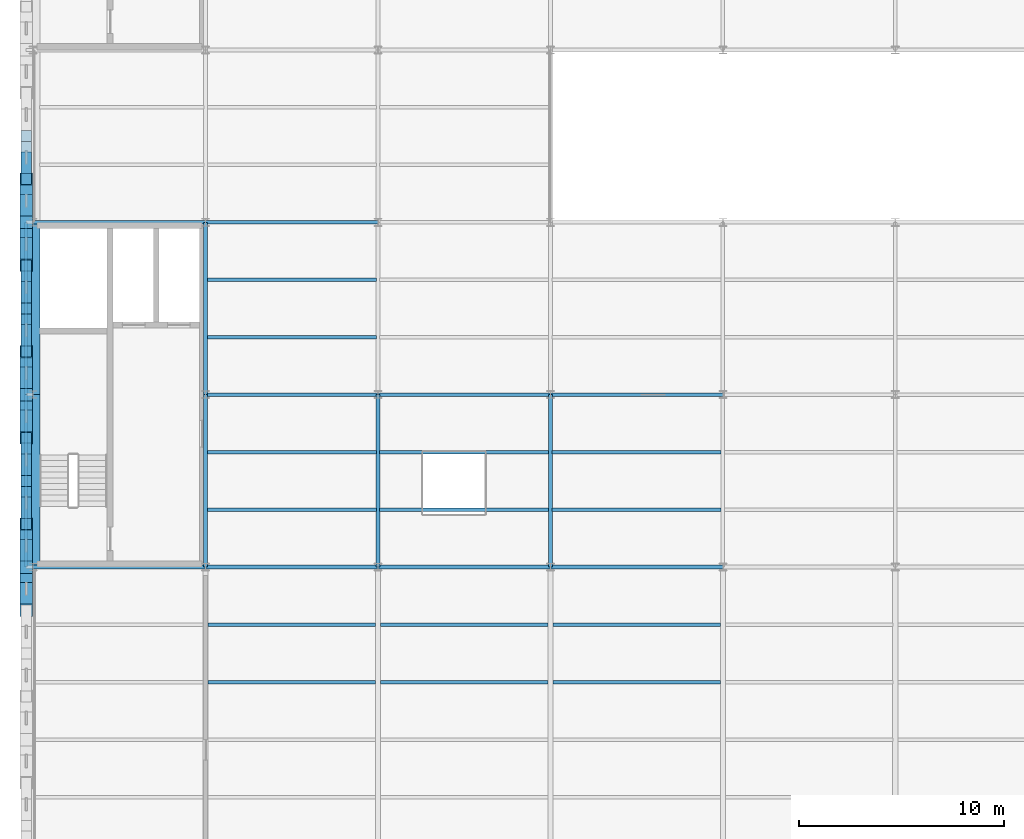
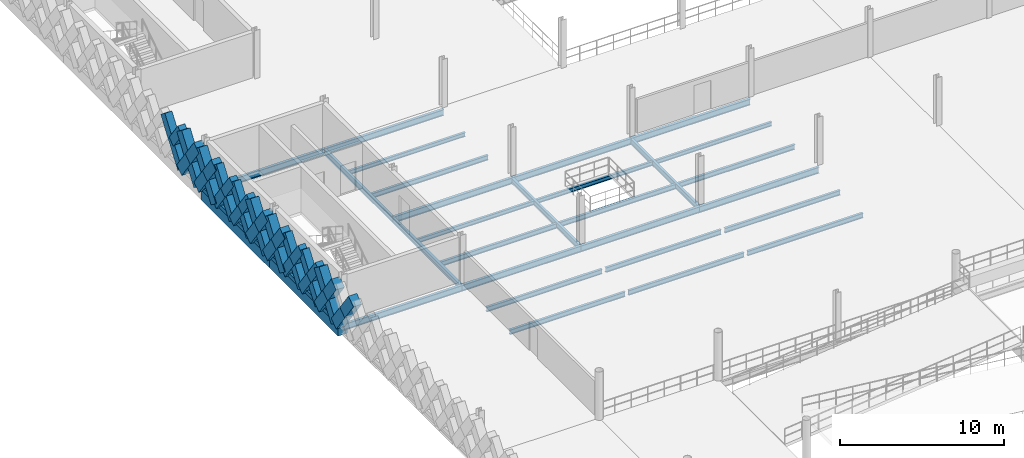
# One storey, part 20 of 74: 33 members, 29 beams.
"""IFC4 building model written with IfcOpenShell, lengths in metres."""

from ifc_helpers import new_model, si_unit, direction, frame, origin, origin_2d, place, context, subcontext, project, spatial, rectangle, hollow_rectangle, i_section, extrude, material, material_profile, profile_set, type_object, element, save


model = new_model("IFC4")

# Units and contexts
model_context = context("Model", 3, precision=1e-05, world=origin(), true_north=direction((0.0, 1.0)))
body_context = subcontext(model_context, "Body", "Model", "MODEL_VIEW")
ifc_project = project(units=[si_unit("LENGTHUNIT", "METRE"), si_unit("AREAUNIT", "SQUARE_METRE"), si_unit("VOLUMEUNIT", "CUBIC_METRE"), si_unit("PLANEANGLEUNIT", "RADIAN"), si_unit("MASSUNIT", "GRAM", prefix="KILO"), si_unit("THERMODYNAMICTEMPERATUREUNIT", "KELVIN"), si_unit("POWERUNIT", "WATT")], contexts=[model_context])

# Site, building, storey
site_placement = place(None, origin())
site = spatial("IfcSite", under=ifc_project, at=site_placement, CompositionType="ELEMENT")
building_placement = place(site_placement, origin())
building = spatial("IfcBuilding", under=site, at=building_placement, Name="Tembeka Court Mobility Hub", CompositionType="ELEMENT")
storey_placement = place(building_placement, frame((0.0, 0.0, 12.60009765625)))
storey = spatial("IfcBuildingStorey", under=building, at=storey_placement, Name="L03", CompositionType="ELEMENT", Elevation=12.60009765625)

# Beams
ifc_material_1 = material(Name="Steel S355", Category="steel")
ifc_material_profile_1 = material_profile(ifc_material_1, i_section(OverallWidth=0.18994140625, OverallDepth=0.45703125, WebThickness=0.009033203125, FlangeThickness=0.014404296875, FilletRadius=0.01025390625, at=origin_2d()), Name="UKB 457x191x74")
ifc_profile_set_1 = profile_set([ifc_material_profile_1], Name="Steel S355")
beam_type_1 = type_object("IfcBeamType", Name="BM-B01", PredefinedType="BEAM", material=ifc_profile_set_1)
beam_1_placement = place(storey_placement, frame((0.0, 38.39990234375, -0.448486328125), z_axis=(1.0, 0.0, 0.0), x_axis=(0.0, 1.0, 0.0)))
element("IfcBeam", 1, at=beam_1_placement, inside=storey, type_object=beam_type_1, Name="Beam B01 (BM-L03-X1718)", PredefinedType="BEAM", context=body_context, shape_type="SweptSolid", body=[
    extrude(i_section(OverallWidth=0.18994140625, OverallDepth=0.45703125, WebThickness=0.009033203125, FlangeThickness=0.014404296875, FilletRadius=0.01025390625, at=origin_2d()), origin(), (0.0, 0.0, 1.0), 8.39990234375),
])
beam_2_placement = place(storey_placement, frame((8.39990234375, 38.39990234375, -0.448486328125), z_axis=(1.0, 0.0, 0.0), x_axis=(0.0, 1.0, 0.0)))
element("IfcBeam", 2, at=beam_2_placement, inside=storey, type_object=beam_type_1, Name="Beam B01 (BM-L03-X1719)", PredefinedType="BEAM", context=body_context, shape_type="SweptSolid", body=[
    extrude(i_section(OverallWidth=0.18994140625, OverallDepth=0.45703125, WebThickness=0.009033203125, FlangeThickness=0.014404296875, FilletRadius=0.01025390625, at=origin_2d()), origin(), (0.0, 0.0, 1.0), 8.400146484375),
])
beam_3_placement = place(storey_placement, frame((16.800048828125, 38.39990234375, -0.448486328125), z_axis=(1.0, 0.0, 0.0), x_axis=(0.0, 1.0, 0.0)))
element("IfcBeam", 3, at=beam_3_placement, inside=storey, type_object=beam_type_1, Name="Beam B01 (BM-L03-X1720)", PredefinedType="BEAM", context=body_context, shape_type="SweptSolid", body=[
    extrude(i_section(OverallWidth=0.18994140625, OverallDepth=0.45703125, WebThickness=0.009033203125, FlangeThickness=0.014404296875, FilletRadius=0.01025390625, at=origin_2d()), origin(), (0.0, 0.0, 1.0), 8.39990234375),
])
for number, where, z_axis, x_axis, name in (
    (4, (25.199951171875, 38.39990234375, -0.448486328125), (1.0, 0.0, 0.0), (0.0, 1.0, 0.0), "Beam B01 (BM-L03-X1721)"),
    (5, (8.39990234375, 46.800048828125, -0.448486328125), (1.0, 0.0, 0.0), (0.0, 1.0, 0.0), "Beam B01 (BM-L03-X1734)"),
):
    element("IfcBeam", number, at=place(storey_placement, frame(where, z_axis=z_axis, x_axis=x_axis)), inside=storey, type_object=beam_type_1, Name=name, PredefinedType="BEAM", context=body_context, shape_type="SweptSolid", body=[
        extrude(i_section(OverallWidth=0.18994140625, OverallDepth=0.45703125, WebThickness=0.009033203125, FlangeThickness=0.014404296875, FilletRadius=0.01025390625, at=origin_2d()), origin(), (0.0, 0.0, 1.0), 8.400146484375),
    ])
beam_4_placement = place(storey_placement, frame((16.800048828125, 46.800048828125, -0.448486328125), z_axis=(1.0, 0.0, 0.0), x_axis=(0.0, 1.0, 0.0)))
element("IfcBeam", 6, at=beam_4_placement, inside=storey, type_object=beam_type_1, Name="Beam B01 (BM-L03-X1735)", PredefinedType="BEAM", context=body_context, shape_type="SweptSolid", body=[
    extrude(i_section(OverallWidth=0.18994140625, OverallDepth=0.45703125, WebThickness=0.009033203125, FlangeThickness=0.014404296875, FilletRadius=0.01025390625, at=origin_2d()), origin(), (0.0, 0.0, 1.0), 8.39990234375),
])
beam_5_placement = place(storey_placement, frame((25.199951171875, 46.800048828125, -0.448486328125), z_axis=(1.0, 0.0, 0.0), x_axis=(0.0, 1.0, 0.0)))
element("IfcBeam", 7, at=beam_5_placement, inside=storey, type_object=beam_type_1, Name="Beam B01 (BM-L03-X1736)", PredefinedType="BEAM", context=body_context, shape_type="SweptSolid", body=[
    extrude(i_section(OverallWidth=0.18994140625, OverallDepth=0.45703125, WebThickness=0.009033203125, FlangeThickness=0.014404296875, FilletRadius=0.01025390625, at=origin_2d()), origin(), (0.0, 0.0, 1.0), 8.400146484375),
])
beam_6_placement = place(storey_placement, frame((0.0, 55.199951171875, -0.448486328125), z_axis=(1.0, 0.0, 0.0), x_axis=(0.0, 1.0, 0.0)))
element("IfcBeam", 8, at=beam_6_placement, inside=storey, type_object=beam_type_1, Name="Beam B01 (BM-L03-X1748)", PredefinedType="BEAM", context=body_context, shape_type="SweptSolid", body=[
    extrude(i_section(OverallWidth=0.18994140625, OverallDepth=0.45703125, WebThickness=0.009033203125, FlangeThickness=0.014404296875, FilletRadius=0.01025390625, at=origin_2d()), origin(), (0.0, 0.0, 1.0), 8.39990234375),
])
beam_7_placement = place(storey_placement, frame((8.39990234375, 55.199951171875, -0.448486328125), z_axis=(1.0, 0.0, 0.0), x_axis=(0.0, 1.0, 0.0)))
element("IfcBeam", 9, at=beam_7_placement, inside=storey, type_object=beam_type_1, Name="Beam B01 (BM-L03-X1749)", PredefinedType="BEAM", context=body_context, shape_type="SweptSolid", body=[
    extrude(i_section(OverallWidth=0.18994140625, OverallDepth=0.45703125, WebThickness=0.009033203125, FlangeThickness=0.014404296875, FilletRadius=0.01025390625, at=origin_2d()), origin(), (0.0, 0.0, 1.0), 8.400146484375),
])
ifc_material_profile_2 = material_profile(ifc_material_1, i_section(OverallWidth=0.177978515625, OverallDepth=0.406005859375, WebThickness=0.0078125, FlangeThickness=0.0126953125, FilletRadius=0.01025390625, at=origin_2d()), Name="UKB 406x178x60")
ifc_profile_set_2 = profile_set([ifc_material_profile_2], Name="Steel S355")
beam_type_2 = type_object("IfcBeamType", Name="BM-B02", PredefinedType="BEAM", material=ifc_profile_set_2)
beam_8_placement = place(storey_placement, frame((8.39990234375, 38.39990234375, -0.423095703125), z_axis=(0.0, 1.0, 0.0), x_axis=(-1.0, 0.0, 0.0)))
element("IfcBeam", 10, at=beam_8_placement, inside=storey, type_object=beam_type_2, Name="Beam B02 (BM-L03-Y1830)", PredefinedType="BEAM", context=body_context, shape_type="SweptSolid", body=[
    extrude(i_section(OverallWidth=0.177978515625, OverallDepth=0.406005859375, WebThickness=0.0078125, FlangeThickness=0.0126953125, FilletRadius=0.01025390625, at=origin_2d()), origin(), (0.0, 0.0, 1.0), 8.400146484375),
])
beam_9_placement = place(storey_placement, frame((8.39990234375, 46.800048828125, -0.423095703125), z_axis=(0.0, 1.0, 0.0), x_axis=(-1.0, 0.0, 0.0)))
element("IfcBeam", 11, at=beam_9_placement, inside=storey, type_object=beam_type_2, Name="Beam B02 (BM-L03-Y1831)", PredefinedType="BEAM", context=body_context, shape_type="SweptSolid", body=[
    extrude(i_section(OverallWidth=0.177978515625, OverallDepth=0.406005859375, WebThickness=0.0078125, FlangeThickness=0.0126953125, FilletRadius=0.01025390625, at=origin_2d()), origin(), (0.0, 0.0, 1.0), 8.39990234375),
])
for number, where, z_axis, x_axis, name in (
    (12, (16.800048828125, 38.39990234375, -0.423095703125), (0.0, 1.0, 0.0), (-1.0, 0.0, 0.0), "Beam B02 (BM-L03-Y1841)"),
    (13, (25.199951171875, 38.39990234375, -0.423095703125), (0.0, 1.0, 0.0), (-1.0, 0.0, 0.0), "Beam B02 (BM-L03-Y1850)"),
):
    element("IfcBeam", number, at=place(storey_placement, frame(where, z_axis=z_axis, x_axis=x_axis)), inside=storey, type_object=beam_type_2, Name=name, PredefinedType="BEAM", context=body_context, shape_type="SweptSolid", body=[
        extrude(i_section(OverallWidth=0.177978515625, OverallDepth=0.406005859375, WebThickness=0.0078125, FlangeThickness=0.0126953125, FilletRadius=0.01025390625, at=origin_2d()), origin(), (0.0, 0.0, 1.0), 8.400146484375),
    ])
ifc_material_profile_3 = material_profile(ifc_material_1, i_section(OverallWidth=0.172119140625, OverallDepth=0.35498046875, WebThickness=0.00732421875, FlangeThickness=0.011474609375, FilletRadius=0.01025390625, at=origin_2d()), Name="UKB 356x171x51")
ifc_profile_set_3 = profile_set([ifc_material_profile_3], Name="Steel S355")
beam_type_3 = type_object("IfcBeamType", Name="BM-J01", PredefinedType="JOIST", material=ifc_profile_set_3)
for number, where, z_axis, x_axis, name in (
    (14, (8.52197265625, 32.800048828125, -0.397705078125), (1.0, 0.0, 0.0), (0.0, 1.0, 0.0), "Beam J01 (JST-L03-1961)"),
    (15, (8.52197265625, 35.60009765625, -0.397705078125), (1.0, 0.0, 0.0), (0.0, 1.0, 0.0), "Beam J01 (JST-L03-1962)"),
):
    element("IfcBeam", number, at=place(storey_placement, frame(where, z_axis=z_axis, x_axis=x_axis)), inside=storey, type_object=beam_type_3, Name=name, PredefinedType="JOIST", context=body_context, shape_type="SweptSolid", body=[
        extrude(i_section(OverallWidth=0.172119140625, OverallDepth=0.35498046875, WebThickness=0.00732421875, FlangeThickness=0.011474609375, FilletRadius=0.01025390625, at=origin_2d()), origin(), (0.0, 0.0, 1.0), 8.156005859375),
    ])
for number, where, z_axis, x_axis, name in (
    (16, (16.922119140625, 32.800048828125, -0.397705078125), (1.0, 0.0, 0.0), (0.0, 1.0, 0.0), "Beam J01 (JST-L03-1981)"),
    (17, (16.922119140625, 35.60009765625, -0.397705078125), (1.0, 0.0, 0.0), (0.0, 1.0, 0.0), "Beam J01 (JST-L03-1982)"),
):
    element("IfcBeam", number, at=place(storey_placement, frame(where, z_axis=z_axis, x_axis=x_axis)), inside=storey, type_object=beam_type_3, Name=name, PredefinedType="JOIST", context=body_context, shape_type="SweptSolid", body=[
        extrude(i_section(OverallWidth=0.172119140625, OverallDepth=0.35498046875, WebThickness=0.00732421875, FlangeThickness=0.011474609375, FilletRadius=0.01025390625, at=origin_2d()), origin(), (0.0, 0.0, 1.0), 8.15576171875),
    ])
for number, where, z_axis, x_axis, name in (
    (18, (25.322021484375, 32.800048828125, -0.397705078125), (1.0, 0.0, 0.0), (0.0, 1.0, 0.0), "Beam J01 (JST-L03-2001)"),
    (19, (25.322021484375, 35.60009765625, -0.397705078125), (1.0, 0.0, 0.0), (0.0, 1.0, 0.0), "Beam J01 (JST-L03-2002)"),
):
    element("IfcBeam", number, at=place(storey_placement, frame(where, z_axis=z_axis, x_axis=x_axis)), inside=storey, type_object=beam_type_3, Name=name, PredefinedType="JOIST", context=body_context, shape_type="SweptSolid", body=[
        extrude(i_section(OverallWidth=0.172119140625, OverallDepth=0.35498046875, WebThickness=0.00732421875, FlangeThickness=0.011474609375, FilletRadius=0.01025390625, at=origin_2d()), origin(), (0.0, 0.0, 1.0), 8.156005859375),
    ])
ifc_material_profile_4 = material_profile(ifc_material_1, i_section(OverallWidth=0.1650390625, OverallDepth=0.303955078125, WebThickness=0.006103515625, FlangeThickness=0.01025390625, FilletRadius=0.0087890625, at=origin_2d()), Name="UKB 305x165x40")
ifc_profile_set_4 = profile_set([ifc_material_profile_4], Name="Steel S355")
beam_type_4 = type_object("IfcBeamType", Name="BM-J02", PredefinedType="JOIST", material=ifc_profile_set_4)
for number, where, z_axis, x_axis, name in (
    (20, (8.48388671875, 44.0, -0.3720703125), (1.0, 0.0, 0.0), (0.0, 1.0, 0.0), "Beam J02 (JST-L03-1964)"),
    (21, (8.48388671875, 52.39990234375, -0.3720703125), (1.0, 0.0, 0.0), (0.0, 1.0, 0.0), "Beam J02 (JST-L03-1966)"),
):
    element("IfcBeam", number, at=place(storey_placement, frame(where, z_axis=z_axis, x_axis=x_axis)), inside=storey, type_object=beam_type_4, Name=name, PredefinedType="JOIST", context=body_context, shape_type="SweptSolid", body=[
        extrude(i_section(OverallWidth=0.1650390625, OverallDepth=0.303955078125, WebThickness=0.006103515625, FlangeThickness=0.01025390625, FilletRadius=0.0087890625, at=origin_2d()), origin(), (0.0, 0.0, 1.0), 8.232177734375),
    ])
beam_10_placement = place(storey_placement, frame((16.884033203125, 44.0, -0.3720703125), z_axis=(1.0, 0.0, 0.0), x_axis=(0.0, 1.0, 0.0)))
element("IfcBeam", 22, at=beam_10_placement, inside=storey, type_object=beam_type_4, Name="Beam J02 (JST-L03-1984)", PredefinedType="JOIST", context=body_context, shape_type="SweptSolid", body=[
    extrude(i_section(OverallWidth=0.1650390625, OverallDepth=0.303955078125, WebThickness=0.006103515625, FlangeThickness=0.01025390625, FilletRadius=0.0087890625, at=origin_2d()), origin(), (0.0, 0.0, 1.0), 8.23193359375),
])
beam_11_placement = place(storey_placement, frame((25.283935546875, 44.0, -0.3720703125), z_axis=(1.0, 0.0, 0.0), x_axis=(0.0, 1.0, 0.0)))
element("IfcBeam", 23, at=beam_11_placement, inside=storey, type_object=beam_type_4, Name="Beam J02 (JST-L03-2004)", PredefinedType="JOIST", context=body_context, shape_type="SweptSolid", body=[
    extrude(i_section(OverallWidth=0.1650390625, OverallDepth=0.303955078125, WebThickness=0.006103515625, FlangeThickness=0.01025390625, FilletRadius=0.0087890625, at=origin_2d()), origin(), (0.0, 0.0, 1.0), 8.232177734375),
])
ifc_material_profile_5 = material_profile(ifc_material_1, i_section(OverallWidth=0.169921875, OverallDepth=0.360107421875, WebThickness=0.008056640625, FlangeThickness=0.0126953125, FilletRadius=0.01806640625, at=origin_2d()), Name="IPE 360")
ifc_profile_set_5 = profile_set([ifc_material_profile_5], Name="Steel S355")
beam_type_5 = type_object("IfcBeamType", Name="BM-J03", PredefinedType="JOIST", material=ifc_profile_set_5)
for number, where, z_axis, x_axis, name in (
    (24, (8.48388671875, 41.199951171875, -0.400146484375), (1.0, 0.0, 0.0), (0.0, 1.0, 0.0), "Beam J03 (JST-L03-1963)"),
    (25, (8.48388671875, 49.60009765625, -0.400146484375), (1.0, 0.0, 0.0), (0.0, 1.0, 0.0), "Beam J03 (JST-L03-1965)"),
):
    element("IfcBeam", number, at=place(storey_placement, frame(where, z_axis=z_axis, x_axis=x_axis)), inside=storey, type_object=beam_type_5, Name=name, PredefinedType="JOIST", context=body_context, shape_type="SweptSolid", body=[
        extrude(i_section(OverallWidth=0.169921875, OverallDepth=0.360107421875, WebThickness=0.008056640625, FlangeThickness=0.0126953125, FilletRadius=0.01806640625, at=origin_2d()), origin(), (0.0, 0.0, 1.0), 8.232177734375),
    ])
beam_12_placement = place(storey_placement, frame((16.884033203125, 41.199951171875, -0.400146484375), z_axis=(1.0, 0.0, 0.0), x_axis=(0.0, 1.0, 0.0)))
element("IfcBeam", 26, at=beam_12_placement, inside=storey, type_object=beam_type_5, Name="Beam J03 (JST-L03-1983)", PredefinedType="JOIST", context=body_context, shape_type="SweptSolid", body=[
    extrude(i_section(OverallWidth=0.169921875, OverallDepth=0.360107421875, WebThickness=0.008056640625, FlangeThickness=0.0126953125, FilletRadius=0.01806640625, at=origin_2d()), origin(), (0.0, 0.0, 1.0), 8.23193359375),
])
beam_13_placement = place(storey_placement, frame((25.283935546875, 41.199951171875, -0.400146484375), z_axis=(1.0, 0.0, 0.0), x_axis=(0.0, 1.0, 0.0)))
element("IfcBeam", 27, at=beam_13_placement, inside=storey, type_object=beam_type_5, Name="Beam J03 (JST-L03-2003)", PredefinedType="JOIST", context=body_context, shape_type="SweptSolid", body=[
    extrude(i_section(OverallWidth=0.169921875, OverallDepth=0.360107421875, WebThickness=0.008056640625, FlangeThickness=0.0126953125, FilletRadius=0.01806640625, at=origin_2d()), origin(), (0.0, 0.0, 1.0), 8.232177734375),
])
ifc_material_2 = material(Name="Precast concrete C45/55", Category="concrete")
ifc_material_profile_6 = material_profile(ifc_material_2, rectangle(XDim=0.64990234375, YDim=0.800048828125, at=origin_2d()), Name="PC-SP 650x800")
ifc_profile_set_6 = profile_set([ifc_material_profile_6], Name="Precast concrete C45/55")
beam_type_6 = type_object("IfcBeamType", Name="BM-SP01", PredefinedType="SPANDREL", material=ifc_profile_set_6)
beam_14_placement = place(storey_placement, frame((0.0, 38.39990234375, -0.6201171875), z_axis=(0.0, 1.0, 0.0), x_axis=(-1.0, 0.0, 0.0)))
element("IfcBeam", 28, at=beam_14_placement, inside=storey, type_object=beam_type_6, Name="Beam SP01 (BM-L03-Y1819)", PredefinedType="SPANDREL", context=body_context, shape_type="SweptSolid", body=[
    extrude(rectangle(XDim=0.64990234375, YDim=0.800048828125, at=origin_2d()), origin(), (0.0, 0.0, 1.0), 8.400146484375),
])
beam_15_placement = place(storey_placement, frame((0.0, 46.800048828125, -0.6201171875), z_axis=(0.0, 1.0, 0.0), x_axis=(-1.0, 0.0, 0.0)))
element("IfcBeam", 29, at=beam_15_placement, inside=storey, type_object=beam_type_6, Name="Beam SP01 (BM-L03-Y1820)", PredefinedType="SPANDREL", context=body_context, shape_type="SweptSolid", body=[
    extrude(rectangle(XDim=0.64990234375, YDim=0.800048828125, at=origin_2d()), origin(), (0.0, 0.0, 1.0), 8.39990234375),
])

# Members
ifc_material_profile_7 = material_profile(ifc_material_2, rectangle(XDim=0.5, YDim=0.64990234375, at=origin_2d()), Name="PC-DIAG 500x650")
ifc_profile_set_7 = profile_set([ifc_material_profile_7], Name="Precast concrete C45/55")
member_type_1 = type_object("IfcMemberType", Name="MEM-DL01", PredefinedType="BRACE", material=ifc_profile_set_7)
member_1_placement = place(storey_placement, frame((-0.340087890625, 40.5, 0.02001953125), z_axis=(0.0, 0.582576362011, 0.812775973086), x_axis=(-1.0, 0.0, 0.0)))
element("IfcMember", 30, at=member_1_placement, inside=storey, type_object=member_type_1, Name="Precast diamond lattice continuous strand DL01 (L03-496C)", PredefinedType="BRACE", context=body_context, shape_type="SweptSolid", body=[
    extrude(rectangle(XDim=0.5, YDim=0.64990234375, at=origin_2d()), origin(), (0.0, 0.0, 1.0), 3.604736328125),
])
member_2_placement = place(storey_placement, frame((-0.340087890625, 42.60009765625, 0.02001953125), z_axis=(0.0, -0.582608431711, 0.812752985414), x_axis=(1.0, 0.0, 0.0)))
element("IfcMember", 31, at=member_2_placement, inside=storey, type_object=member_type_1, Name="Precast diamond lattice split lower strand DL01 (L03-496D1)", PredefinedType="BRACE", context=body_context, shape_type="SweptSolid", body=[
    extrude(rectangle(XDim=0.5, YDim=0.64990234375, at=origin_2d()), origin(), (0.0, 0.0, 1.0), 1.80224609375),
])
member_3_placement = place(storey_placement, frame((-0.340087890625, 41.550048828125, 1.48486328125), z_axis=(0.0, -0.582544294934, 0.812798956963), x_axis=(1.0, 0.0, 0.0)))
element("IfcMember", 32, at=member_3_placement, inside=storey, type_object=member_type_1, Name="Precast diamond lattice split upper strand DL01 (L03-496D2)", PredefinedType="BRACE", context=body_context, shape_type="SweptSolid", body=[
    extrude(rectangle(XDim=0.5, YDim=0.64990234375, at=origin_2d()), origin(), (0.0, 0.0, 1.0), 1.802490234375),
])
member_4_placement = place(storey_placement, frame((-0.340087890625, 42.60009765625, 0.02001953125), z_axis=(0.0, 0.58253161945, 0.812808041509), x_axis=(-1.0, 0.0, 0.0)))
element("IfcMember", 33, at=member_4_placement, inside=storey, type_object=member_type_1, Name="Precast diamond lattice continuous strand DL01 (L03-497C)", PredefinedType="BRACE", context=body_context, shape_type="SweptSolid", body=[
    extrude(rectangle(XDim=0.5, YDim=0.64990234375, at=origin_2d()), origin(), (0.0, 0.0, 1.0), 3.604736328125),
])
member_5_placement = place(storey_placement, frame((-0.340087890625, 44.699951171875, 0.02001953125), z_axis=(0.0, -0.582608431711, 0.812752985414), x_axis=(1.0, 0.0, 0.0)))
element("IfcMember", 34, at=member_5_placement, inside=storey, type_object=member_type_1, Name="Precast diamond lattice split lower strand DL01 (L03-497D1)", PredefinedType="BRACE", context=body_context, shape_type="SweptSolid", body=[
    extrude(rectangle(XDim=0.5, YDim=0.64990234375, at=origin_2d()), origin(), (0.0, 0.0, 1.0), 1.80224609375),
])
member_6_placement = place(storey_placement, frame((-0.340087890625, 43.64990234375, 1.48486328125), z_axis=(0.0, -0.582454804382, 0.812863088627), x_axis=(1.0, 0.0, 0.0)))
element("IfcMember", 35, at=member_6_placement, inside=storey, type_object=member_type_1, Name="Precast diamond lattice split upper strand DL01 (L03-497D2)", PredefinedType="BRACE", context=body_context, shape_type="SweptSolid", body=[
    extrude(rectangle(XDim=0.5, YDim=0.64990234375, at=origin_2d()), origin(), (0.0, 0.0, 1.0), 1.802490234375),
])
member_7_placement = place(storey_placement, frame((-0.340087890625, 48.89990234375, 0.02001953125), z_axis=(0.0, 0.582576362011, 0.812775973086), x_axis=(-1.0, 0.0, 0.0)))
element("IfcMember", 36, at=member_7_placement, inside=storey, type_object=member_type_1, Name="Precast diamond lattice continuous strand DL01 (L03-500C)", PredefinedType="BRACE", context=body_context, shape_type="SweptSolid", body=[
    extrude(rectangle(XDim=0.5, YDim=0.64990234375, at=origin_2d()), origin(), (0.0, 0.0, 1.0), 3.604736328125),
])
member_8_placement = place(storey_placement, frame((-0.340087890625, 51.0, 0.02001953125), z_axis=(0.0, -0.582608431711, 0.812752985414), x_axis=(1.0, 0.0, 0.0)))
element("IfcMember", 37, at=member_8_placement, inside=storey, type_object=member_type_1, Name="Precast diamond lattice split lower strand DL01 (L03-500D1)", PredefinedType="BRACE", context=body_context, shape_type="SweptSolid", body=[
    extrude(rectangle(XDim=0.5, YDim=0.64990234375, at=origin_2d()), origin(), (0.0, 0.0, 1.0), 1.80224609375),
])
member_9_placement = place(storey_placement, frame((-0.340087890625, 49.949951171875, 1.48486328125), z_axis=(0.0, -0.582544294934, 0.812798956963), x_axis=(1.0, 0.0, 0.0)))
element("IfcMember", 38, at=member_9_placement, inside=storey, type_object=member_type_1, Name="Precast diamond lattice split upper strand DL01 (L03-500D2)", PredefinedType="BRACE", context=body_context, shape_type="SweptSolid", body=[
    extrude(rectangle(XDim=0.5, YDim=0.64990234375, at=origin_2d()), origin(), (0.0, 0.0, 1.0), 1.802490234375),
])
member_10_placement = place(storey_placement, frame((-0.340087890625, 51.0, 0.02001953125), z_axis=(0.0, 0.582576362011, 0.812775973086), x_axis=(-1.0, 0.0, 0.0)))
element("IfcMember", 39, at=member_10_placement, inside=storey, type_object=member_type_1, Name="Precast diamond lattice continuous strand DL01 (L03-501C)", PredefinedType="BRACE", context=body_context, shape_type="SweptSolid", body=[
    extrude(rectangle(XDim=0.5, YDim=0.64990234375, at=origin_2d()), origin(), (0.0, 0.0, 1.0), 3.604736328125),
])
member_11_placement = place(storey_placement, frame((-0.340087890625, 53.10009765625, 0.02001953125), z_axis=(0.0, -0.582608431711, 0.812752985414), x_axis=(1.0, 0.0, 0.0)))
element("IfcMember", 40, at=member_11_placement, inside=storey, type_object=member_type_1, Name="Precast diamond lattice split lower strand DL01 (L03-501D1)", PredefinedType="BRACE", context=body_context, shape_type="SweptSolid", body=[
    extrude(rectangle(XDim=0.5, YDim=0.64990234375, at=origin_2d()), origin(), (0.0, 0.0, 1.0), 1.80224609375),
])
member_12_placement = place(storey_placement, frame((-0.340087890625, 52.050048828125, 1.48486328125), z_axis=(0.0, -0.582544294934, 0.812798956963), x_axis=(1.0, 0.0, 0.0)))
element("IfcMember", 41, at=member_12_placement, inside=storey, type_object=member_type_1, Name="Precast diamond lattice split upper strand DL01 (L03-501D2)", PredefinedType="BRACE", context=body_context, shape_type="SweptSolid", body=[
    extrude(rectangle(XDim=0.5, YDim=0.64990234375, at=origin_2d()), origin(), (0.0, 0.0, 1.0), 1.802490234375),
])
member_13_placement = place(storey_placement, frame((-0.340087890625, 57.300048828125, 0.02001953125), z_axis=(0.0, 0.58253161945, 0.812808041509), x_axis=(-1.0, 0.0, 0.0)))
element("IfcMember", 42, at=member_13_placement, inside=storey, type_object=member_type_1, Name="Precast diamond lattice continuous strand DL01 (L03-504C)", PredefinedType="BRACE", context=body_context, shape_type="SweptSolid", body=[
    extrude(rectangle(XDim=0.5, YDim=0.64990234375, at=origin_2d()), origin(), (0.0, 0.0, 1.0), 3.604736328125),
])
member_14_placement = place(storey_placement, frame((-0.340087890625, 58.35009765625, 1.48486328125), z_axis=(0.0, -0.582544294934, 0.812798956963), x_axis=(1.0, 0.0, 0.0)))
element("IfcMember", 43, at=member_14_placement, inside=storey, type_object=member_type_1, Name="Precast diamond lattice split upper strand DL01 (L03-504D2)", PredefinedType="BRACE", context=body_context, shape_type="SweptSolid", body=[
    extrude(rectangle(XDim=0.5, YDim=0.64990234375, at=origin_2d()), origin(), (0.0, 0.0, 1.0), 1.802490234375),
])
ifc_material_profile_8 = material_profile(ifc_material_2, rectangle(XDim=0.60009765625, YDim=0.75, at=origin_2d()), Name="PC-DIAG 600x750")
ifc_profile_set_8 = profile_set([ifc_material_profile_8], Name="Precast concrete C45/55")
member_type_2 = type_object("IfcMemberType", Name="MEM-DL02", PredefinedType="BRACE", material=ifc_profile_set_8)
member_15_placement = place(storey_placement, frame((-0.340087890625, 38.39990234375, 0.02001953125), z_axis=(0.0, -0.582518941428, 0.812817127574), x_axis=(1.0, 0.0, 0.0)))
element("IfcMember", 44, at=member_15_placement, inside=storey, type_object=member_type_2, Name="Precast diamond lattice split lower strand DL02 (L03-494D1)", PredefinedType="BRACE", context=body_context, shape_type="SweptSolid", body=[
    extrude(rectangle(XDim=0.60009765625, YDim=0.75, at=origin_2d()), origin(), (0.0, 0.0, 1.0), 1.80224609375),
])
member_16_placement = place(storey_placement, frame((-0.340087890625, 37.35009765625, 1.48486328125), z_axis=(0.0, -0.582544294934, 0.812798956963), x_axis=(1.0, 0.0, 0.0)))
element("IfcMember", 45, at=member_16_placement, inside=storey, type_object=member_type_2, Name="Precast diamond lattice split upper strand DL02 (L03-494D2)", PredefinedType="BRACE", context=body_context, shape_type="SweptSolid", body=[
    extrude(rectangle(XDim=0.60009765625, YDim=0.75, at=origin_2d()), origin(), (0.0, 0.0, 1.0), 1.802490234375),
])
member_17_placement = place(storey_placement, frame((-0.340087890625, 38.39990234375, 0.02001953125), z_axis=(0.0, 0.582576362011, 0.812775973086), x_axis=(-1.0, 0.0, 0.0)))
element("IfcMember", 46, at=member_17_placement, inside=storey, type_object=member_type_2, Name="Precast diamond lattice continuous strand DL02 (L03-495C)", PredefinedType="BRACE", context=body_context, shape_type="SweptSolid", body=[
    extrude(rectangle(XDim=0.60009765625, YDim=0.75, at=origin_2d()), origin(), (0.0, 0.0, 1.0), 3.604736328125),
])
member_18_placement = place(storey_placement, frame((-0.340087890625, 40.5, 0.02001953125), z_axis=(0.0, -0.582608431711, 0.812752985414), x_axis=(1.0, 0.0, 0.0)))
element("IfcMember", 47, at=member_18_placement, inside=storey, type_object=member_type_2, Name="Precast diamond lattice split lower strand DL02 (L03-495D1)", PredefinedType="BRACE", context=body_context, shape_type="SweptSolid", body=[
    extrude(rectangle(XDim=0.60009765625, YDim=0.75, at=origin_2d()), origin(), (0.0, 0.0, 1.0), 1.80224609375),
])
member_19_placement = place(storey_placement, frame((-0.340087890625, 39.449951171875, 1.48486328125), z_axis=(0.0, -0.582544294934, 0.812798956963), x_axis=(1.0, 0.0, 0.0)))
element("IfcMember", 48, at=member_19_placement, inside=storey, type_object=member_type_2, Name="Precast diamond lattice split upper strand DL02 (L03-495D2)", PredefinedType="BRACE", context=body_context, shape_type="SweptSolid", body=[
    extrude(rectangle(XDim=0.60009765625, YDim=0.75, at=origin_2d()), origin(), (0.0, 0.0, 1.0), 1.802490234375),
])
member_20_placement = place(storey_placement, frame((-0.340087890625, 44.699951171875, 0.02001953125), z_axis=(0.0, 0.582576362011, 0.812775973086), x_axis=(-1.0, 0.0, 0.0)))
element("IfcMember", 49, at=member_20_placement, inside=storey, type_object=member_type_2, Name="Precast diamond lattice continuous strand DL02 (L03-498C)", PredefinedType="BRACE", context=body_context, shape_type="SweptSolid", body=[
    extrude(rectangle(XDim=0.60009765625, YDim=0.75, at=origin_2d()), origin(), (0.0, 0.0, 1.0), 3.604736328125),
])
member_21_placement = place(storey_placement, frame((-0.340087890625, 46.800048828125, 0.02001953125), z_axis=(0.0, -0.582608431711, 0.812752985414), x_axis=(1.0, 0.0, 0.0)))
element("IfcMember", 50, at=member_21_placement, inside=storey, type_object=member_type_2, Name="Precast diamond lattice split lower strand DL02 (L03-498D1)", PredefinedType="BRACE", context=body_context, shape_type="SweptSolid", body=[
    extrude(rectangle(XDim=0.60009765625, YDim=0.75, at=origin_2d()), origin(), (0.0, 0.0, 1.0), 1.80224609375),
])
member_22_placement = place(storey_placement, frame((-0.340087890625, 45.75, 1.48486328125), z_axis=(0.0, -0.582544294934, 0.812798956963), x_axis=(1.0, 0.0, 0.0)))
element("IfcMember", 51, at=member_22_placement, inside=storey, type_object=member_type_2, Name="Precast diamond lattice split upper strand DL02 (L03-498D2)", PredefinedType="BRACE", context=body_context, shape_type="SweptSolid", body=[
    extrude(rectangle(XDim=0.60009765625, YDim=0.75, at=origin_2d()), origin(), (0.0, 0.0, 1.0), 1.802490234375),
])
member_23_placement = place(storey_placement, frame((-0.340087890625, 46.800048828125, 0.02001953125), z_axis=(0.0, 0.58253161945, 0.812808041509), x_axis=(-1.0, 0.0, 0.0)))
element("IfcMember", 52, at=member_23_placement, inside=storey, type_object=member_type_2, Name="Precast diamond lattice continuous strand DL02 (L03-499C)", PredefinedType="BRACE", context=body_context, shape_type="SweptSolid", body=[
    extrude(rectangle(XDim=0.60009765625, YDim=0.75, at=origin_2d()), origin(), (0.0, 0.0, 1.0), 3.604736328125),
])
member_24_placement = place(storey_placement, frame((-0.340087890625, 48.89990234375, 0.02001953125), z_axis=(0.0, -0.582518941428, 0.812817127574), x_axis=(1.0, 0.0, 0.0)))
element("IfcMember", 53, at=member_24_placement, inside=storey, type_object=member_type_2, Name="Precast diamond lattice split lower strand DL02 (L03-499D1)", PredefinedType="BRACE", context=body_context, shape_type="SweptSolid", body=[
    extrude(rectangle(XDim=0.60009765625, YDim=0.75, at=origin_2d()), origin(), (0.0, 0.0, 1.0), 1.80224609375),
])
member_25_placement = place(storey_placement, frame((-0.340087890625, 47.85009765625, 1.48486328125), z_axis=(0.0, -0.582544294934, 0.812798956963), x_axis=(1.0, 0.0, 0.0)))
element("IfcMember", 54, at=member_25_placement, inside=storey, type_object=member_type_2, Name="Precast diamond lattice split upper strand DL02 (L03-499D2)", PredefinedType="BRACE", context=body_context, shape_type="SweptSolid", body=[
    extrude(rectangle(XDim=0.60009765625, YDim=0.75, at=origin_2d()), origin(), (0.0, 0.0, 1.0), 1.802490234375),
])
member_26_placement = place(storey_placement, frame((-0.340087890625, 53.10009765625, 0.02001953125), z_axis=(0.0, 0.58253161945, 0.812808041509), x_axis=(-1.0, 0.0, 0.0)))
element("IfcMember", 55, at=member_26_placement, inside=storey, type_object=member_type_2, Name="Precast diamond lattice continuous strand DL02 (L03-502C)", PredefinedType="BRACE", context=body_context, shape_type="SweptSolid", body=[
    extrude(rectangle(XDim=0.60009765625, YDim=0.75, at=origin_2d()), origin(), (0.0, 0.0, 1.0), 3.604736328125),
])
member_27_placement = place(storey_placement, frame((-0.340087890625, 55.199951171875, 0.02001953125), z_axis=(0.0, -0.582608431711, 0.812752985414), x_axis=(1.0, 0.0, 0.0)))
element("IfcMember", 56, at=member_27_placement, inside=storey, type_object=member_type_2, Name="Precast diamond lattice split lower strand DL02 (L03-502D1)", PredefinedType="BRACE", context=body_context, shape_type="SweptSolid", body=[
    extrude(rectangle(XDim=0.60009765625, YDim=0.75, at=origin_2d()), origin(), (0.0, 0.0, 1.0), 1.80224609375),
])
member_28_placement = place(storey_placement, frame((-0.340087890625, 54.14990234375, 1.48486328125), z_axis=(0.0, -0.582454804382, 0.812863088627), x_axis=(1.0, 0.0, 0.0)))
element("IfcMember", 57, at=member_28_placement, inside=storey, type_object=member_type_2, Name="Precast diamond lattice split upper strand DL02 (L03-502D2)", PredefinedType="BRACE", context=body_context, shape_type="SweptSolid", body=[
    extrude(rectangle(XDim=0.60009765625, YDim=0.75, at=origin_2d()), origin(), (0.0, 0.0, 1.0), 1.802490234375),
])
member_29_placement = place(storey_placement, frame((-0.340087890625, 55.199951171875, 0.02001953125), z_axis=(0.0, 0.582576362011, 0.812775973086), x_axis=(-1.0, 0.0, 0.0)))
element("IfcMember", 58, at=member_29_placement, inside=storey, type_object=member_type_2, Name="Precast diamond lattice continuous strand DL02 (L03-503C)", PredefinedType="BRACE", context=body_context, shape_type="SweptSolid", body=[
    extrude(rectangle(XDim=0.60009765625, YDim=0.75, at=origin_2d()), origin(), (0.0, 0.0, 1.0), 3.604736328125),
])
member_30_placement = place(storey_placement, frame((-0.340087890625, 57.300048828125, 0.02001953125), z_axis=(0.0, -0.582608431711, 0.812752985414), x_axis=(1.0, 0.0, 0.0)))
element("IfcMember", 59, at=member_30_placement, inside=storey, type_object=member_type_2, Name="Precast diamond lattice split lower strand DL02 (L03-503D1)", PredefinedType="BRACE", context=body_context, shape_type="SweptSolid", body=[
    extrude(rectangle(XDim=0.60009765625, YDim=0.75, at=origin_2d()), origin(), (0.0, 0.0, 1.0), 1.80224609375),
])
member_31_placement = place(storey_placement, frame((-0.340087890625, 56.25, 1.48486328125), z_axis=(0.0, -0.582544294934, 0.812798956963), x_axis=(1.0, 0.0, 0.0)))
element("IfcMember", 60, at=member_31_placement, inside=storey, type_object=member_type_2, Name="Precast diamond lattice split upper strand DL02 (L03-503D2)", PredefinedType="BRACE", context=body_context, shape_type="SweptSolid", body=[
    extrude(rectangle(XDim=0.60009765625, YDim=0.75, at=origin_2d()), origin(), (0.0, 0.0, 1.0), 1.802490234375),
])
ifc_material_profile_9 = material_profile(ifc_material_1, hollow_rectangle(XDim=0.14990234375, YDim=0.300048828125, WallThickness=0.010009765625, at=origin_2d()), Name="RHS 300x150x10")
ifc_profile_set_9 = profile_set([ifc_material_profile_9], Name="Steel S355")
member_type_3 = type_object("IfcMemberType", Name="MEM-ST03", PredefinedType="STRUT", material=ifc_profile_set_9)
member_32_placement = place(storey_placement, frame((-0.340087890625, 38.39990234375, 0.02001953125), z_axis=(0.0, 1.0, 0.0), x_axis=(-1.0, 0.0, 0.0)))
element("IfcMember", 61, at=member_32_placement, inside=storey, type_object=member_type_3, Name="Proud lattice sill tie chord SR03 (L03-W-38)", PredefinedType="STRUT", context=body_context, shape_type="SweptSolid", body=[
    extrude(hollow_rectangle(XDim=0.14990234375, YDim=0.300048828125, WallThickness=0.010009765625, at=origin_2d()), origin(), (0.0, 0.0, 1.0), 8.400146484375),
])
member_33_placement = place(storey_placement, frame((-0.340087890625, 46.800048828125, 0.02001953125), z_axis=(0.0, 1.0, 0.0), x_axis=(-1.0, 0.0, 0.0)))
element("IfcMember", 62, at=member_33_placement, inside=storey, type_object=member_type_3, Name="Proud lattice sill tie chord SR03 (L03-W-46)", PredefinedType="STRUT", context=body_context, shape_type="SweptSolid", body=[
    extrude(hollow_rectangle(XDim=0.14990234375, YDim=0.300048828125, WallThickness=0.010009765625, at=origin_2d()), origin(), (0.0, 0.0, 1.0), 8.39990234375),
])

save(model, "model.ifc")
